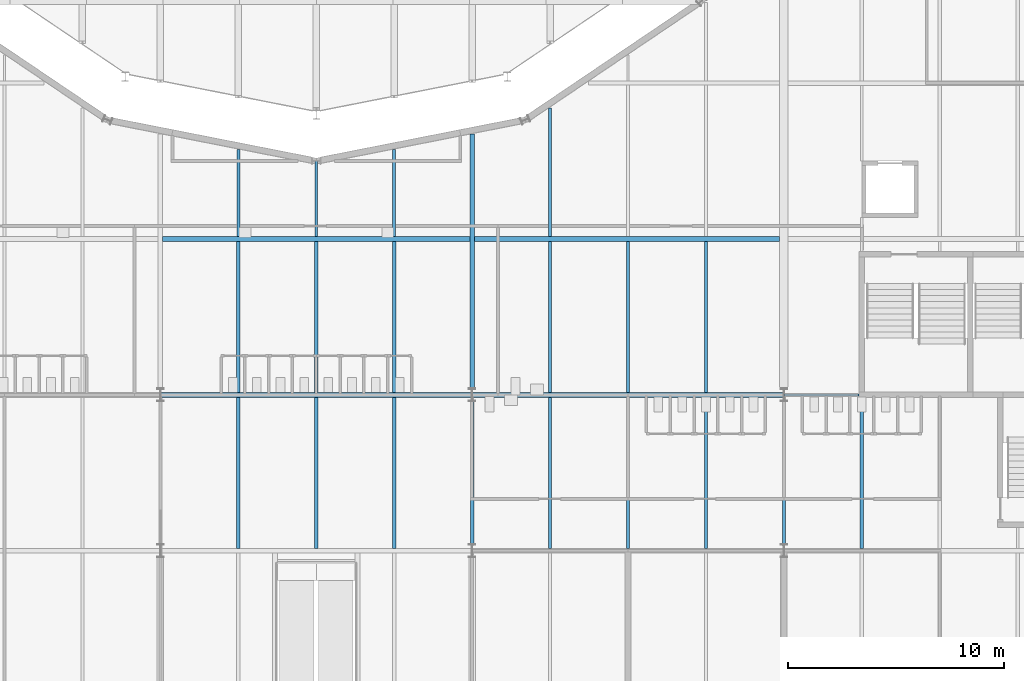
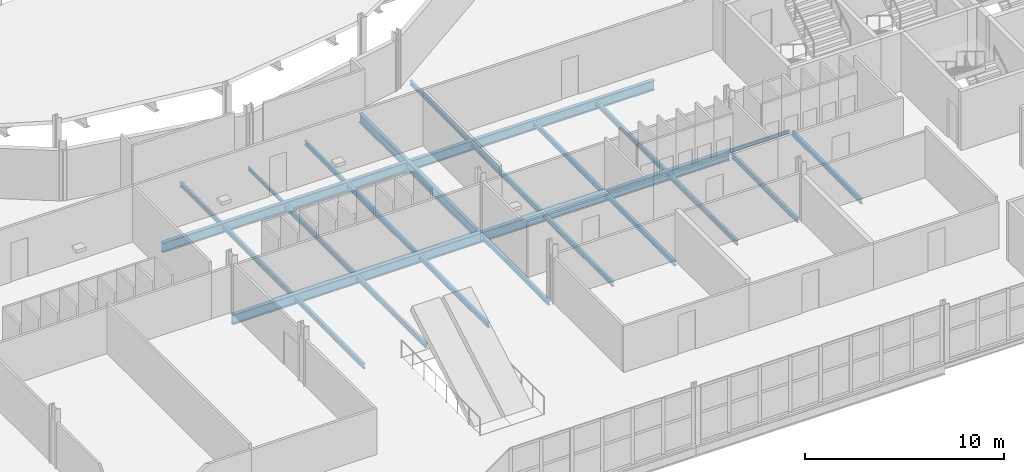
# One storey, part 32 of 124: 25 beams.
"""IFC4 building model written with IfcOpenShell, lengths in metres."""

from ifc_helpers import new_model, si_unit, direction, frame, origin, origin_2d, place, context, subcontext, project, spatial, i_section, extrude, material, material_profile, profile_set, type_object, element, save


model = new_model("IFC4")

# Units and contexts
model_context = context("Model", 3, precision=1e-05, world=origin(), true_north=direction((0.0, 1.0)))
body_context = subcontext(model_context, "Body", "Model", "MODEL_VIEW")
ifc_project = project(units=[si_unit("LENGTHUNIT", "METRE"), si_unit("AREAUNIT", "SQUARE_METRE"), si_unit("VOLUMEUNIT", "CUBIC_METRE"), si_unit("PLANEANGLEUNIT", "RADIAN"), si_unit("MASSUNIT", "GRAM", prefix="KILO")], contexts=[model_context])

# Site, building, storey
site_placement = place(None, origin())
site = spatial("IfcSite", under=ifc_project, at=site_placement, CompositionType="ELEMENT")
building_placement = place(site_placement, origin())
building = spatial("IfcBuilding", under=site, at=building_placement, Name="Kupolbacken Congress Centre", CompositionType="ELEMENT")
storey_placement = place(building_placement, frame((0.0, 0.0, 10.800048828125)))
storey = spatial("IfcBuildingStorey", under=building, at=storey_placement, Name="L03", CompositionType="ELEMENT", Elevation=10.800048828125)

# Beams
ifc_material_1 = material(Name="Steel S355", Category="steel")
ifc_material_profile_1 = material_profile(ifc_material_1, i_section(OverallWidth=0.10009765625, OverallDepth=0.199951171875, WebThickness=0.005615234375, FlangeThickness=0.008544921875, FilletRadius=0.011962890625, at=origin_2d()), Name="IPE 200")
ifc_profile_set_1 = profile_set([ifc_material_profile_1], Name="Steel S355")
beam_type_1 = type_object("IfcBeamType", Name="B01 beam IPE 200", PredefinedType="BEAM", material=ifc_profile_set_1)
beam_1_placement = place(storey_placement, frame((64.807861328125, 50.39990234375, -0.280029296875), z_axis=(1.0, 0.0, 0.0), x_axis=(0.0, 1.0, 0.0)))
element("IfcBeam", 1, at=beam_1_placement, inside=storey, type_object=beam_type_1, Name="S/floor/F/L03/R029", PredefinedType="BEAM", context=body_context, shape_type="SweptSolid", body=[
    extrude(i_section(OverallWidth=0.10009765625, OverallDepth=0.199951171875, WebThickness=0.005615234375, FlangeThickness=0.008544921875, FilletRadius=0.011962890625, at=origin_2d()), origin(), (0.0, 0.0, 1.0), 3.467041015625),
])
beam_2_placement = place(storey_placement, frame((43.199951171875, 57.7099609375, -0.280029296875), z_axis=(0.0, 1.0, 0.0), x_axis=(-1.0, 0.0, 0.0)))
element("IfcBeam", 2, at=beam_2_placement, inside=storey, type_object=beam_type_1, Name="S/floor/P/L03/S117", PredefinedType="BEAM", context=body_context, shape_type="SweptSolid", body=[
    extrude(i_section(OverallWidth=0.10009765625, OverallDepth=0.199951171875, WebThickness=0.005615234375, FlangeThickness=0.008544921875, FilletRadius=0.011962890625, at=origin_2d()), origin(), (0.0, 0.0, 1.0), 3.4833984375),
])
ifc_material_2 = material(Name="Steel S355", Category="steel")
ifc_material_profile_2 = material_profile(ifc_material_2, i_section(OverallWidth=0.135009765625, OverallDepth=0.27001953125, WebThickness=0.006591796875, FlangeThickness=0.01025390625, FilletRadius=0.014892578125, at=origin_2d()), Name="IPE 270")
ifc_profile_set_2 = profile_set([ifc_material_profile_2], Name="Steel S355")
beam_type_2 = type_object("IfcBeamType", Name="B03 beam IPE 270", PredefinedType="BEAM", material=ifc_profile_set_2)
for number, where, z_axis, x_axis, name in (
    (3, (39.60009765625, 57.7099609375, -0.31494140625), (0.0, 1.0, 0.0), (-1.0, 0.0, 0.0), "S/floor/P/L03/S113"),
    (4, (46.800048828125, 57.7099609375, -0.31494140625), (0.0, 1.0, 0.0), (-1.0, 0.0, 0.0), "S/floor/P/L03/S121"),
):
    element("IfcBeam", number, at=place(storey_placement, frame(where, z_axis=z_axis, x_axis=x_axis)), inside=storey, type_object=beam_type_2, Name=name, PredefinedType="BEAM", context=body_context, shape_type="SweptSolid", body=[
        extrude(i_section(OverallWidth=0.135009765625, OverallDepth=0.27001953125, WebThickness=0.006591796875, FlangeThickness=0.01025390625, FilletRadius=0.014892578125, at=origin_2d()), origin(), (0.0, 0.0, 1.0), 4.03271484375),
    ])
beam_3_placement = place(storey_placement, frame((54.0, 57.7099609375, -0.31494140625), z_axis=(0.0, 1.0, 0.0), x_axis=(-1.0, 0.0, 0.0)))
element("IfcBeam", 5, at=beam_3_placement, inside=storey, type_object=beam_type_2, Name="S/floor/P/L03/S125", PredefinedType="BEAM", context=body_context, shape_type="SweptSolid", body=[
    extrude(i_section(OverallWidth=0.135009765625, OverallDepth=0.27001953125, WebThickness=0.006591796875, FlangeThickness=0.01025390625, FilletRadius=0.014892578125, at=origin_2d()), origin(), (0.0, 0.0, 1.0), 5.939697265625),
])
ifc_material_3 = material(Name="Steel S355", Category="steel")
ifc_material_profile_3 = material_profile(ifc_material_3, i_section(OverallWidth=0.14990234375, OverallDepth=0.300048828125, WebThickness=0.007080078125, FlangeThickness=0.0107421875, FilletRadius=0.014892578125, at=origin_2d()), Name="IPE 300")
ifc_profile_set_3 = profile_set([ifc_material_profile_3], Name="Steel S355")
beam_type_3 = type_object("IfcBeamType", Name="B04 beam IPE 300", PredefinedType="BEAM", material=ifc_profile_set_3)
for number, where, z_axis, x_axis, name in (
    (6, (50.39990234375, 43.5, -0.330078125), (0.0, 1.0, 0.0), (-1.0, 0.0, 0.0), "S/floor/F/L03/G009"),
    (7, (64.800048828125, 43.5, -0.330078125), (0.0, 1.0, 0.0), (-1.0, 0.0, 0.0), "S/floor/F/L03/G011"),
):
    element("IfcBeam", number, at=place(storey_placement, frame(where, z_axis=z_axis, x_axis=x_axis)), inside=storey, type_object=beam_type_3, Name=name, PredefinedType="BEAM", context=body_context, shape_type="SweptSolid", body=[
        extrude(i_section(OverallWidth=0.14990234375, OverallDepth=0.300048828125, WebThickness=0.007080078125, FlangeThickness=0.0107421875, FilletRadius=0.014892578125, at=origin_2d()), origin(), (0.0, 0.0, 1.0), 6.60009765625),
    ])
for number, where, z_axis, x_axis, name in (
    (8, (39.60009765625, 43.31005859375, -0.330078125), (0.0, 1.0, 0.0), (-1.0, 0.0, 0.0), "S/floor/F/L03/S060"),
    (9, (43.199951171875, 43.31005859375, -0.330078125), (0.0, 1.0, 0.0), (-1.0, 0.0, 0.0), "S/floor/F/L03/S062"),
    (10, (46.800048828125, 43.31005859375, -0.330078125), (0.0, 1.0, 0.0), (-1.0, 0.0, 0.0), "S/floor/F/L03/S065"),
    (11, (54.0, 43.31005859375, -0.330078125), (0.0, 1.0, 0.0), (-1.0, 0.0, 0.0), "S/floor/F/L03/S068"),
    (12, (57.60009765625, 43.31005859375, -0.330078125), (0.0, 1.0, 0.0), (-1.0, 0.0, 0.0), "S/floor/F/L03/S071"),
    (13, (61.199951171875, 43.31005859375, -0.330078125), (0.0, 1.0, 0.0), (-1.0, 0.0, 0.0), "S/floor/F/L03/S074"),
):
    element("IfcBeam", number, at=place(storey_placement, frame(where, z_axis=z_axis, x_axis=x_axis)), inside=storey, type_object=beam_type_3, Name=name, PredefinedType="BEAM", context=body_context, shape_type="SweptSolid", body=[
        extrude(i_section(OverallWidth=0.14990234375, OverallDepth=0.300048828125, WebThickness=0.007080078125, FlangeThickness=0.0107421875, FilletRadius=0.014892578125, at=origin_2d()), origin(), (0.0, 0.0, 1.0), 6.97998046875),
    ])
beam_4_placement = place(storey_placement, frame((68.39990234375, 43.31005859375, -0.330078125), z_axis=(0.0, 1.0, 0.0), x_axis=(-1.0, 0.0, 0.0)))
element("IfcBeam", 14, at=beam_4_placement, inside=storey, type_object=beam_type_3, Name="S/floor/F/L03/S077", PredefinedType="BEAM", context=body_context, shape_type="SweptSolid", body=[
    extrude(i_section(OverallWidth=0.14990234375, OverallDepth=0.300048828125, WebThickness=0.007080078125, FlangeThickness=0.0107421875, FilletRadius=0.014892578125, at=origin_2d()), origin(), (0.0, 0.0, 1.0), 6.96484375),
])
for number, where, z_axis, x_axis, name in (
    (15, (39.60009765625, 50.510009765625, -0.330078125), (0.0, 1.0, 0.0), (-1.0, 0.0, 0.0), "S/floor/P/L03/S112"),
    (16, (43.199951171875, 50.510009765625, -0.330078125), (0.0, 1.0, 0.0), (-1.0, 0.0, 0.0), "S/floor/P/L03/S116"),
    (17, (46.800048828125, 50.510009765625, -0.330078125), (0.0, 1.0, 0.0), (-1.0, 0.0, 0.0), "S/floor/P/L03/S120"),
    (18, (54.0, 50.510009765625, -0.330078125), (0.0, 1.0, 0.0), (-1.0, 0.0, 0.0), "S/floor/P/L03/S124"),
    (19, (57.60009765625, 50.510009765625, -0.330078125), (0.0, 1.0, 0.0), (-1.0, 0.0, 0.0), "S/floor/P/L03/S128"),
    (20, (61.199951171875, 50.510009765625, -0.330078125), (0.0, 1.0, 0.0), (-1.0, 0.0, 0.0), "S/floor/P/L03/S134"),
):
    element("IfcBeam", number, at=place(storey_placement, frame(where, z_axis=z_axis, x_axis=x_axis)), inside=storey, type_object=beam_type_3, Name=name, PredefinedType="BEAM", context=body_context, shape_type="SweptSolid", body=[
        extrude(i_section(OverallWidth=0.14990234375, OverallDepth=0.300048828125, WebThickness=0.007080078125, FlangeThickness=0.0107421875, FilletRadius=0.014892578125, at=origin_2d()), origin(), (0.0, 0.0, 1.0), 6.97998046875),
    ])
ifc_material_4 = material(Name="Steel S355", Category="steel")
ifc_material_profile_4 = material_profile(ifc_material_4, i_section(OverallWidth=0.2099609375, OverallDepth=0.550048828125, WebThickness=0.010986328125, FlangeThickness=0.01708984375, FilletRadius=0.02392578125, at=origin_2d()), Name="IPE 550")
ifc_profile_set_4 = profile_set([ifc_material_profile_4], Name="Steel S355")
beam_type_4 = type_object("IfcBeamType", Name="B10 beam IPE 550", PredefinedType="BEAM", material=ifc_profile_set_4)
beam_5_placement = place(storey_placement, frame((50.39990234375, 50.699951171875, -0.455078125), z_axis=(0.0, 1.0, 0.0), x_axis=(-1.0, 0.0, 0.0)))
element("IfcBeam", 21, at=beam_5_placement, inside=storey, type_object=beam_type_4, Name="S/floor/P/L03/G027", PredefinedType="BEAM", context=body_context, shape_type="SweptSolid", body=[
    extrude(i_section(OverallWidth=0.2099609375, OverallDepth=0.550048828125, WebThickness=0.010986328125, FlangeThickness=0.01708984375, FilletRadius=0.02392578125, at=origin_2d()), origin(), (0.0, 0.0, 1.0), 11.744140625),
])
ifc_material_5 = material(Name="Steel S355", Category="steel")
ifc_material_profile_5 = material_profile(ifc_material_5, i_section(OverallWidth=0.219970703125, OverallDepth=0.60009765625, WebThickness=0.011962890625, FlangeThickness=0.01904296875, FilletRadius=0.02392578125, at=origin_2d()), Name="IPE 600")
ifc_profile_set_5 = profile_set([ifc_material_profile_5], Name="Steel S355")
beam_type_5 = type_object("IfcBeamType", Name="B11 beam IPE 600", PredefinedType="BEAM", material=ifc_profile_set_5)
for number, where, z_axis, x_axis, name in (
    (22, (36.0078125, 50.39990234375, -0.47998046875), (1.0, 0.0, 0.0), (0.0, 1.0, 0.0), "S/floor/F/L03/R027"),
    (23, (50.40771484375, 50.39990234375, -0.47998046875), (1.0, 0.0, 0.0), (0.0, 1.0, 0.0), "S/floor/F/L03/R028"),
):
    element("IfcBeam", number, at=place(storey_placement, frame(where, z_axis=z_axis, x_axis=x_axis)), inside=storey, type_object=beam_type_5, Name=name, PredefinedType="BEAM", context=body_context, shape_type="SweptSolid", body=[
        extrude(i_section(OverallWidth=0.219970703125, OverallDepth=0.60009765625, WebThickness=0.011962890625, FlangeThickness=0.01904296875, FilletRadius=0.02392578125, at=origin_2d()), origin(), (0.0, 0.0, 1.0), 14.384521484375),
    ])
beam_6_placement = place(storey_placement, frame((36.10498046875, 57.60009765625, -0.47998046875), z_axis=(1.0, 0.0, 0.0), x_axis=(0.0, 1.0, 0.0)))
element("IfcBeam", 24, at=beam_6_placement, inside=storey, type_object=beam_type_5, Name="S/floor/P/L03/R040", PredefinedType="BEAM", context=body_context, shape_type="SweptSolid", body=[
    extrude(i_section(OverallWidth=0.219970703125, OverallDepth=0.60009765625, WebThickness=0.011962890625, FlangeThickness=0.01904296875, FilletRadius=0.02392578125, at=origin_2d()), origin(), (0.0, 0.0, 1.0), 14.18994140625),
])
beam_7_placement = place(storey_placement, frame((50.5048828125, 57.60009765625, -0.47998046875), z_axis=(1.0, 0.0, 0.0), x_axis=(0.0, 1.0, 0.0)))
element("IfcBeam", 25, at=beam_7_placement, inside=storey, type_object=beam_type_5, Name="S/floor/P/L03/R041", PredefinedType="BEAM", context=body_context, shape_type="SweptSolid", body=[
    extrude(i_section(OverallWidth=0.219970703125, OverallDepth=0.60009765625, WebThickness=0.011962890625, FlangeThickness=0.01904296875, FilletRadius=0.02392578125, at=origin_2d()), origin(), (0.0, 0.0, 1.0), 14.09521484375),
])

save(model, "model.ifc")
